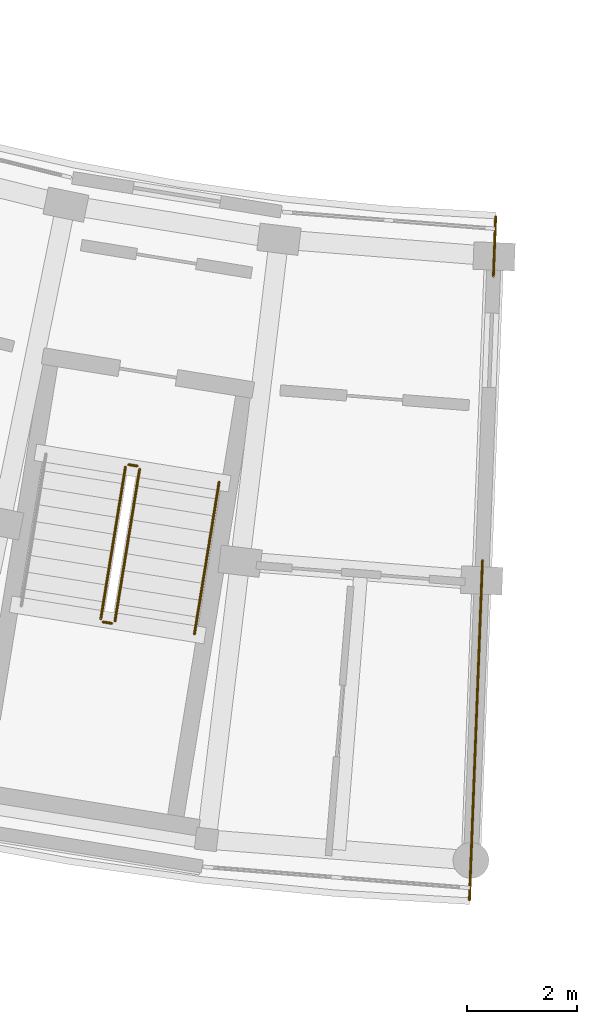
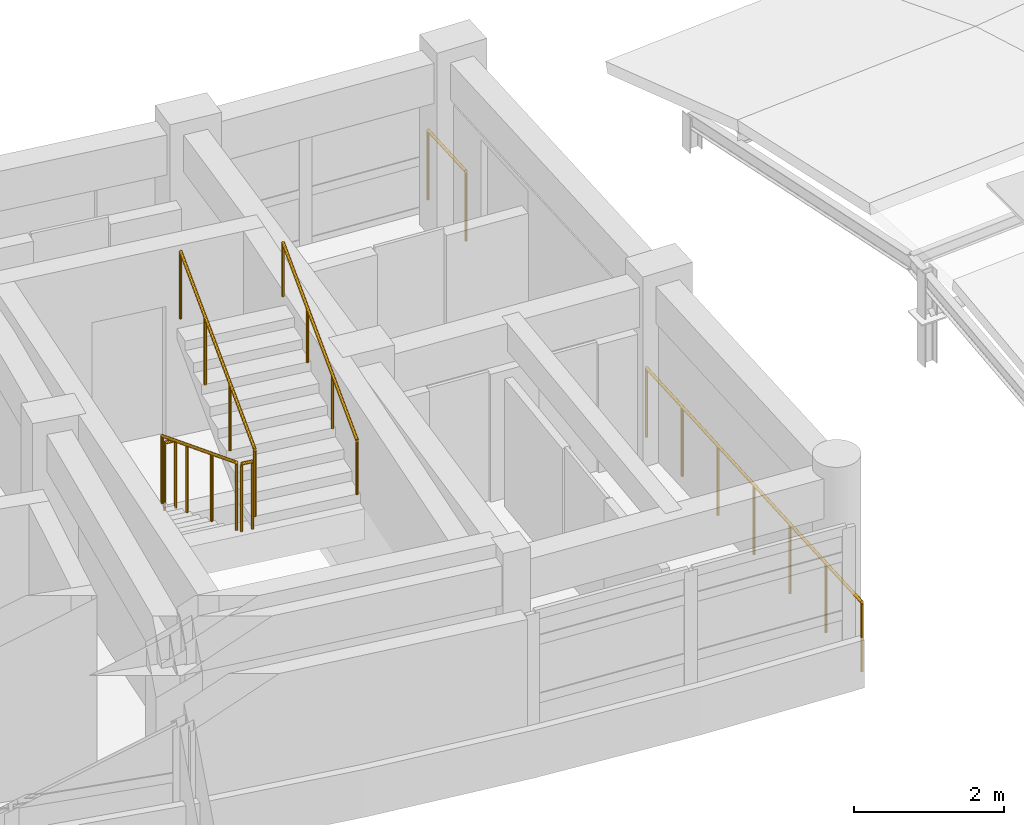
# One storey, part 46 of 50: 7 railings.
"""IFC4 building model written with IfcOpenShell, lengths in metres."""

from ifc_helpers import new_model, si_unit, direction, frame, origin, origin_2d, place, context, subcontext, project, spatial, circle, extrude, material, type_object, element, save


model = new_model("IFC4")

# Units and contexts
model_context = context("Model", 3, precision=1e-05, world=origin(), true_north=direction((0.0, 1.0)))
body_context = subcontext(model_context, "Body", "Model", "MODEL_VIEW")
ifc_project = project(units=[si_unit("LENGTHUNIT", "METRE"), si_unit("AREAUNIT", "SQUARE_METRE"), si_unit("VOLUMEUNIT", "CUBIC_METRE"), si_unit("PLANEANGLEUNIT", "RADIAN"), si_unit("MASSUNIT", "GRAM", prefix="KILO")], contexts=[model_context])

# Site, building, storey
site_placement = place(None, origin())
site = spatial("IfcSite", under=ifc_project, at=site_placement, CompositionType="ELEMENT")
building_placement = place(site_placement, origin())
building = spatial("IfcBuilding", under=site, at=building_placement, Name="Zimvara Arc Housing Community", CompositionType="ELEMENT")
storey_placement = place(building_placement, frame((0.0, 0.0, 26.699951171875)))
storey = spatial("IfcBuildingStorey", under=building, at=storey_placement, Name="L08", CompositionType="ELEMENT", Elevation=26.699951171875)

# Railings
ifc_material_1 = material(Name="Anodised Aluminium AW-6063", Category="aluminium")
railing_type_1 = type_object("IfcRailingType", Name="RLG-BAL-1120", PredefinedType="BALUSTRADE", material=ifc_material_1)
railing_1_placement = place(storey_placement, frame((117.455810546875, 58.15771484375, 0.155029296875)))
element("IfcRailing", 1, at=railing_1_placement, inside=storey, type_object=railing_type_1, Name="L08 ST-C2 stair guard 1", PredefinedType="BALUSTRADE", context=body_context, shape_type="SweptSolid", body=[
    extrude(circle(Radius=0.02392578125, at=origin_2d()), frame((0.0, 0.0, 1.09619140625), z_axis=(-0.14330919097, -0.882866015369, 0.447224859204), x_axis=(0.987080428045, -0.160225555297, 0.0)), (0.0, 0.0, 1.0), 3.119384765625),
    extrude(circle(Radius=0.02099609375, at=origin_2d()), origin(), (0.0, 0.0, 1.0), 1.072021484375),
    extrude(circle(Radius=0.02099609375, at=origin_2d()), frame((-0.14892578125, -0.91796875, 0.465087890625)), (0.0, 0.0, 1.0), 1.072021484375),
    extrude(circle(Radius=0.02099609375, at=origin_2d()), frame((-0.298095703125, -1.8359375, 0.929931640625)), (0.0, 0.0, 1.0), 1.072021484375),
    extrude(circle(Radius=0.02099609375, at=origin_2d()), frame((-0.447021484375, -2.75390625, 1.39501953125)), (0.0, 0.0, 1.0), 1.072021484375),
])
railing_2_placement = place(storey_placement, frame((117.050048828125, 55.346435546875, 1.550048828125)))
element("IfcRailing", 2, at=railing_2_placement, inside=storey, type_object=railing_type_1, Name="L08 ST-C2 stair guard 2", PredefinedType="BALUSTRADE", context=body_context, shape_type="SweptSolid", body=[
    extrude(circle(Radius=0.02392578125, at=origin_2d()), frame((0.0, 0.0, 1.09619140625), z_axis=(0.987085924886, -0.160191687964, 0.0), x_axis=(0.160191687964, 0.987085924886, 0.0)), (0.0, 0.0, 1.0), 0.159912109375),
    extrude(circle(Radius=0.02099609375, at=origin_2d()), origin(), (0.0, 0.0, 1.0), 1.072021484375),
    extrude(circle(Radius=0.02099609375, at=origin_2d()), frame((0.157958984375, -0.025634765625, 0.0)), (0.0, 0.0, 1.0), 1.072021484375),
])
railing_3_placement = place(storey_placement, frame((117.265380859375, 55.3623046875, 1.705078125)))
element("IfcRailing", 3, at=railing_3_placement, inside=storey, type_object=railing_type_1, Name="L08 ST-C2 stair guard 3", PredefinedType="BALUSTRADE", context=body_context, shape_type="SweptSolid", body=[
    extrude(circle(Radius=0.02392578125, at=origin_2d()), frame((0.0, 0.0, 1.09619140625), z_axis=(0.14330919097, 0.882866015369, 0.447224859204), x_axis=(-0.987080428045, 0.160225555297, 0.0)), (0.0, 0.0, 1.0), 3.119384765625),
    extrude(circle(Radius=0.02099609375, at=origin_2d()), origin(), (0.0, 0.0, 1.0), 1.072021484375),
    extrude(circle(Radius=0.02099609375, at=origin_2d()), frame((0.14892578125, 0.91796875, 0.465087890625)), (0.0, 0.0, 1.0), 1.072021484375),
    extrude(circle(Radius=0.02099609375, at=origin_2d()), frame((0.298095703125, 1.8359375, 0.929931640625)), (0.0, 0.0, 1.0), 1.072021484375),
    extrude(circle(Radius=0.02099609375, at=origin_2d()), frame((0.447021484375, 2.75390625, 1.39501953125)), (0.0, 0.0, 1.0), 1.072021484375),
])
railing_4_placement = place(storey_placement, frame((117.51318359375, 58.19921875, 0.0)))
element("IfcRailing", 4, at=railing_4_placement, inside=storey, type_object=railing_type_1, Name="L08 ST-C2 stair guard 4", PredefinedType="BALUSTRADE", context=body_context, shape_type="SweptSolid", body=[
    extrude(circle(Radius=0.02392578125, at=origin_2d()), frame((0.0, 0.0, 1.09619140625), z_axis=(0.987085924886, -0.160191687964, 0.0), x_axis=(0.160191687964, 0.987085924886, 0.0)), (0.0, 0.0, 1.0), 0.159912109375),
    extrude(circle(Radius=0.02099609375, at=origin_2d()), origin(), (0.0, 0.0, 1.0), 1.072021484375),
    extrude(circle(Radius=0.02099609375, at=origin_2d()), frame((0.157958984375, -0.025634765625, 0.0)), (0.0, 0.0, 1.0), 1.072021484375),
])
ifc_material_2 = material(Name="Anodised Aluminium AW-6063", Category="aluminium")
railing_type_2 = type_object("IfcRailingType", Name="RLG-BAL-1150", PredefinedType="BALUSTRADE", material=ifc_material_2)
railing_5_placement = place(storey_placement, frame((124.168212890625, 62.69482421875, 0.0)))
element("IfcRailing", 5, at=railing_5_placement, inside=storey, type_object=railing_type_2, Name="rlg:blkC:L08:gable_in:gN", PredefinedType="BALUSTRADE", context=body_context, shape_type="SweptSolid", body=[
    extrude(circle(Radius=0.02392578125, at=origin_2d()), frame((0.0, 0.0, 1.1259765625), z_axis=(-0.038424441628, -0.999261508458, 0.0), x_axis=(0.999261508458, -0.038424441628, 0.0)), (0.0, 0.0, 1.0), 1.080078125),
    extrude(circle(Radius=0.02099609375, at=origin_2d()), origin(), (0.0, 0.0, 1.0), 1.101806640625),
    extrude(circle(Radius=0.02099609375, at=origin_2d()), frame((-0.04150390625, -1.079345703125, 0.0)), (0.0, 0.0, 1.0), 1.101806640625),
])
railing_6_placement = place(storey_placement, frame((123.928466796875, 56.45947265625, 0.0)))
element("IfcRailing", 6, at=railing_6_placement, inside=storey, type_object=railing_type_2, Name="rlg:blkC:L08:gable_out:gN", PredefinedType="BALUSTRADE", context=body_context, shape_type="SweptSolid", body=[
    extrude(circle(Radius=0.02392578125, at=origin_2d()), frame((0.0, 0.0, 1.1259765625), z_axis=(-0.038364627964, -0.99926380667, 0.0), x_axis=(0.99926380667, -0.038364627964, 0.0)), (0.0, 0.0, 1.0), 6.16015625),
    extrude(circle(Radius=0.02099609375, at=origin_2d()), origin(), (0.0, 0.0, 1.0), 1.101806640625),
    extrude(circle(Radius=0.02099609375, at=origin_2d()), frame((-0.039306640625, -1.02587890625, 0.0)), (0.0, 0.0, 1.0), 1.101806640625),
    extrude(circle(Radius=0.02099609375, at=origin_2d()), frame((-0.078857421875, -2.0517578125, 0.0)), (0.0, 0.0, 1.0), 1.101806640625),
    extrude(circle(Radius=0.02099609375, at=origin_2d()), frame((-0.1181640625, -3.07763671875, 0.0)), (0.0, 0.0, 1.0), 1.101806640625),
    extrude(circle(Radius=0.02099609375, at=origin_2d()), frame((-0.157470703125, -4.103759765625, 0.0)), (0.0, 0.0, 1.0), 1.101806640625),
    extrude(circle(Radius=0.02099609375, at=origin_2d()), frame((-0.197021484375, -5.129638671875, 0.0)), (0.0, 0.0, 1.0), 1.101806640625),
    extrude(circle(Radius=0.02099609375, at=origin_2d()), frame((-0.236328125, -6.155517578125, 0.0)), (0.0, 0.0, 1.0), 1.101806640625),
])
ifc_material_3 = material(Name="Anodised Aluminium AW-6063", Category="aluminium")
railing_type_3 = type_object("IfcRailingType", Name="RLG-HND-900", PredefinedType="HANDRAIL", material=ifc_material_3)
railing_7_placement = place(storey_placement, frame((118.70654296875, 55.128173828125, 1.705078125)))
element("IfcRailing", 7, at=railing_7_placement, inside=storey, type_object=railing_type_3, Name="L08 ST-C2 stair handrail 2", PredefinedType="HANDRAIL", context=body_context, shape_type="SweptSolid", body=[
    extrude(circle(Radius=0.02392578125, at=origin_2d()), frame((0.0, 0.0, 0.8759765625), z_axis=(0.143299288836, 0.882883275458, 0.447193957625), x_axis=(-0.987082674257, 0.160211716742, 0.0)), (0.0, 0.0, 1.0), 3.119384765625),
    extrude(circle(Radius=0.02099609375, at=origin_2d()), origin(), (0.0, 0.0, 1.0), 0.851806640625),
    extrude(circle(Radius=0.02099609375, at=origin_2d()), frame((0.14892578125, 0.91796875, 0.465087890625)), (0.0, 0.0, 1.0), 0.851806640625),
    extrude(circle(Radius=0.02099609375, at=origin_2d()), frame((0.298095703125, 1.836181640625, 0.929931640625)), (0.0, 0.0, 1.0), 0.851806640625),
    extrude(circle(Radius=0.02099609375, at=origin_2d()), frame((0.447021484375, 2.754150390625, 1.39501953125)), (0.0, 0.0, 1.0), 0.851806640625),
])

save(model, "model.ifc")
